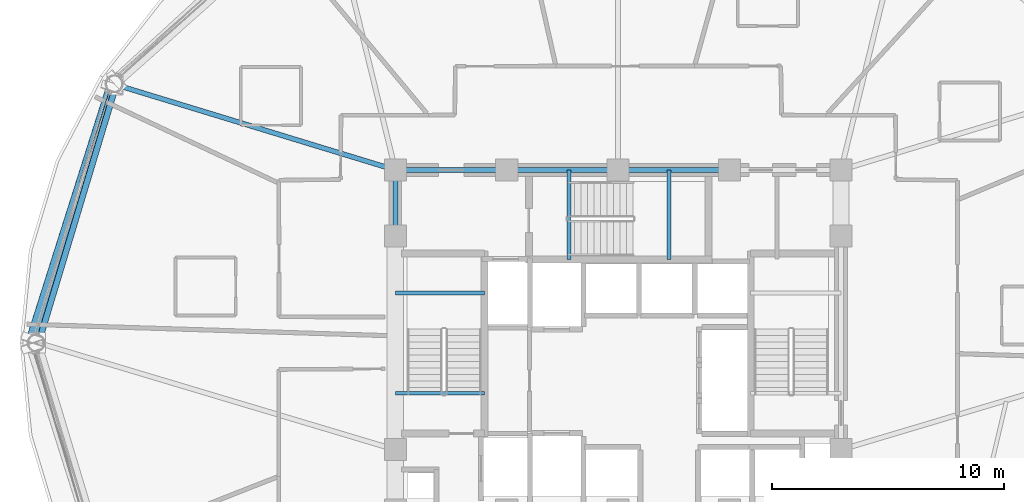
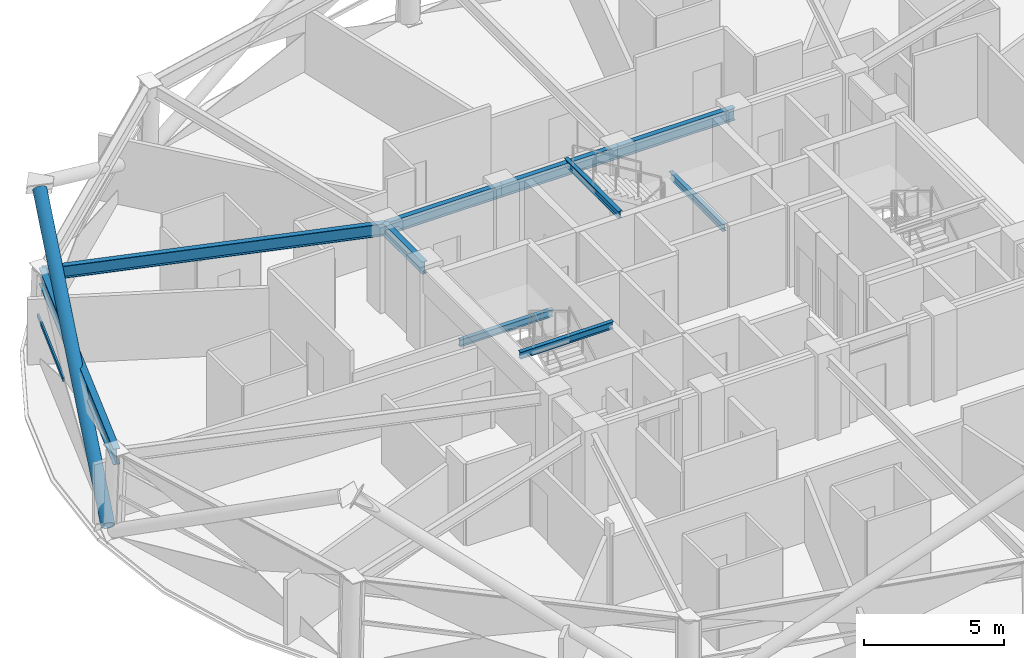
# One storey, part 3 of 15: 10 beams, 2 members, 1 element without a shape of its own.
"""IFC4 building model written with IfcOpenShell, lengths in metres."""

import ifcopenshell
import ifcopenshell.guid

model = None  # the IFC model being written
_history = None  # IfcOwnerHistory: only IFC2X3 demands one
_inside = {}  # id of a spatial element -> (the spatial element, [elements in it])
_under = {}  # id of a project, library or spatial element -> (it, [spatial elements below it])
_declared = {}  # id of a project -> (the project, [libraries it declares])
_typed = {}  # id of a type object -> (the type object, [elements of that type])
_made_of = {}  # id of a material, layer set ... -> (it, [elements and type objects made of it])


def new_model(schema):
    """Start an empty IFC model of exactly this schema.

    Asked for "IFC4X3", IfcOpenShell would pick the latest addendum, in which some entities
    have other attributes; the version numbers below select the first issue.
    IFC2X3 requires an IfcOwnerHistory on every rooted entity: one is made here for all.
    """
    global model, _history
    if schema == "IFC4X3":
        model = ifcopenshell.file(schema_version=(4, 3, 0, 0))
    else:
        model = ifcopenshell.file(schema=schema)
    _inside.clear()
    _under.clear()
    _declared.clear()
    _typed.clear()
    _made_of.clear()
    _history = None
    if model.schema == "IFC2X3":
        org = make("IfcOrganization", Name="unknown")
        user = make(
            "IfcPersonAndOrganization",
            ThePerson=make("IfcPerson", FamilyName="unknown"),
            TheOrganization=org,
        )
        app = make(
            "IfcApplication",
            ApplicationDeveloper=org,
            Version="unknown",
            ApplicationFullName="unknown",
            ApplicationIdentifier="unknown",
        )
        _history = make(
            "IfcOwnerHistory",
            OwningUser=user,
            OwningApplication=app,
            ChangeAction="ADDED",
            CreationDate=0,
        )
    return model


def make(cls, **values):
    """One entity of the class cls with the attributes given. An attribute that is None is left unset."""
    return model.create_entity(
        cls, **{name: value for name, value in values.items() if value is not None}
    )


def rooted(cls, **values):
    """An entity with a GlobalId (a new one), such as an element, a storey or a relation."""
    return make(cls, GlobalId=ifcopenshell.guid.new(), OwnerHistory=_history, **values)


def si_unit(unit_type, name, prefix=None):
    """IfcSIUnit, for example si_unit("LENGTHUNIT", "METRE", prefix="MILLI")."""
    return make("IfcSIUnit", UnitType=unit_type, Prefix=prefix, Name=name)


def assignment(units):
    """IfcUnitAssignment: the units of a project."""
    return None if units is None else make("IfcUnitAssignment", Units=units)


def point(xyz):
    """IfcCartesianPoint."""
    return None if xyz is None else make("IfcCartesianPoint", Coordinates=xyz)


def direction(xyz):
    """IfcDirection."""
    return None if xyz is None else make("IfcDirection", DirectionRatios=xyz)


def frame(location, z_axis=None, x_axis=None):
    """IfcAxis2Placement3D, a coordinate frame: its origin and axes. An axis left out is left unset."""
    return make(
        "IfcAxis2Placement3D",
        Location=point(location),
        Axis=direction(z_axis),
        RefDirection=direction(x_axis),
    )


def frame_2d(location, x_axis=None):
    """IfcAxis2Placement2D, a coordinate frame in the plane: its origin and x axis."""
    return make(
        "IfcAxis2Placement2D", Location=point(location), RefDirection=direction(x_axis)
    )


def origin():
    """The frame at (0, 0, 0) with its axes left unset."""
    return frame((0.0, 0.0, 0.0))


def origin_2d():
    """The frame at (0, 0) in the plane with its x axis left unset."""
    return frame_2d((0.0, 0.0))


def place(relative_to, where):
    """IfcLocalPlacement: puts the frame where relative to a parent placement (None: the world)."""
    return make(
        "IfcLocalPlacement", PlacementRelTo=relative_to, RelativePlacement=where
    )


def context(
    kind, dimensions, precision=None, world=None, true_north=None, identifier=None
):
    """IfcGeometricRepresentationContext, for example the 3D "Model" context."""
    return make(
        "IfcGeometricRepresentationContext",
        ContextIdentifier=identifier,
        ContextType=kind,
        CoordinateSpaceDimension=dimensions,
        Precision=precision,
        WorldCoordinateSystem=world,
        TrueNorth=true_north,
    )


def subcontext(parent, identifier, kind, view, scale=None):
    """IfcGeometricRepresentationSubContext, for example "Body" below "Model"."""
    return make(
        "IfcGeometricRepresentationSubContext",
        ContextIdentifier=identifier,
        ContextType=kind,
        ParentContext=parent,
        TargetScale=scale,
        TargetView=view,
    )


def project(units=None, contexts=None):
    """IfcProject with its units and contexts."""
    return rooted(
        "IfcProject",
        Name="project",
        RepresentationContexts=contexts,
        UnitsInContext=assignment(units),
    )


def spatial(cls, under=None, at=None, **own):
    """A site, building, storey or space (cls), placed at a placement, below another one or the project."""
    s = rooted(cls, ObjectPlacement=at, **own)
    if under is not None:
        _under.setdefault(under.id(), (under, []))[1].append(s)
    return s


def profile(cls, at=None, kind="AREA", **sizes):
    """A parametric profile (cls). Its sizes go by their IFC names, for example OverallWidth=200.0."""
    return make(cls, ProfileType=kind, Position=at, **sizes)


def hollow_rectangle(**sizes):
    """IfcRectangleHollowProfileDef."""
    return profile("IfcRectangleHollowProfileDef", **sizes)


def hollow_circle(**sizes):
    """IfcCircleHollowProfileDef."""
    return profile("IfcCircleHollowProfileDef", **sizes)


def i_section(**sizes):
    """IfcIShapeProfileDef."""
    return profile("IfcIShapeProfileDef", **sizes)


def extrude(swept, where, along, depth):
    """IfcExtrudedAreaSolid: the profile swept, set in the frame where, extruded along a direction by depth."""
    return make(
        "IfcExtrudedAreaSolid",
        SweptArea=swept,
        Position=where,
        ExtrudedDirection=direction(along),
        Depth=depth,
    )


def shape(context_of_items, identifier, shape_type, items):
    """IfcShapeRepresentation: the items that make up one representation, for example the "Body"."""
    return make(
        "IfcShapeRepresentation",
        ContextOfItems=context_of_items,
        RepresentationIdentifier=identifier,
        RepresentationType=shape_type,
        Items=items,
    )


def material(Name=None, Category=None):
    """IfcMaterial."""
    return make("IfcMaterial", Name=Name, Category=Category)


def layer(
    of_material, thickness, ventilated=None, Name=None, Category=None, Priority=None
):
    """IfcMaterialLayer: one layer of a wall or slab, of a material (None: an air gap)."""
    return make(
        "IfcMaterialLayer",
        Material=of_material,
        LayerThickness=thickness,
        IsVentilated=ventilated,
        Name=Name,
        Category=Category,
        Priority=Priority,
    )


def layer_set(layers, Name=None):
    """IfcMaterialLayerSet."""
    return make("IfcMaterialLayerSet", MaterialLayers=layers, LayerSetName=Name)


def material_profile(
    of_material, cross_section, Name=None, Category=None, Priority=None
):
    """IfcMaterialProfile: a cross section and its material."""
    return make(
        "IfcMaterialProfile",
        Name=Name,
        Material=of_material,
        Profile=cross_section,
        Priority=Priority,
        Category=Category,
    )


def profile_set(profiles, Name=None, composite=None):
    """IfcMaterialProfileSet."""
    return make(
        "IfcMaterialProfileSet",
        Name=Name,
        MaterialProfiles=profiles,
        CompositeProfile=composite,
    )


def made_of(thing, what):
    """Note that an element or type object is made of a material, layer set ...; save() writes the relation."""
    if what is not None:
        _made_of.setdefault(what.id(), (what, []))[1].append(thing)
    return thing


def type_object(cls, material=None, **own):
    """A type object (cls), such as IfcWallType, which elements share."""
    return made_of(rooted(cls, **own), material)


def element(
    cls,
    number,
    at=None,
    inside=None,
    cuts=None,
    type_object=None,
    material=None,
    context=None,
    identifier="Body",
    shape_type=None,
    held_by="IfcProductDefinitionShape",
    body=None,
    shapes=None,
    **own,
):
    """One element of the class cls, such as IfcWall. Its Tag is "e" and its number.

    at: its placement. inside: the storey or other place that contains it. cuts: it is an
    opening in that element (IfcRelVoidsElement). A single representation is given by context,
    identifier, shape_type and body (its items); several are given by shapes. held_by: the class
    of the entity that holds the representations. save() writes the other relations.
    """
    e = rooted(cls, Tag="e%d" % number, ObjectPlacement=at, **own)
    if body is not None:
        shapes = [shape(context, identifier, shape_type, body)]
    if shapes is not None:
        e.Representation = make(held_by, Representations=shapes)
    if inside is not None:
        _inside.setdefault(inside.id(), (inside, []))[1].append(e)
    if cuts is not None:
        rooted(
            "IfcRelVoidsElement", RelatingBuildingElement=cuts, RelatedOpeningElement=e
        )
    if type_object is not None:
        _typed.setdefault(type_object.id(), (type_object, []))[1].append(e)
    return made_of(e, material)


def aggregate(whole, parts):
    """IfcRelAggregates: a whole, such as a stair, and the parts it consists of."""
    return rooted("IfcRelAggregates", RelatingObject=whole, RelatedObjects=parts)


def save(model, path):
    """Write the relations noted so far, then the file.

    IfcRelAggregates (storeys below a building ...), IfcRelContainedInSpatialStructure (elements
    in a storey), IfcRelDefinesByType, IfcRelAssociatesMaterial and IfcRelDeclares: one each for
    every whole, place, type object, material and project.
    """
    for whole, parts in _under.values():
        aggregate(whole, parts)
    for where, things in _inside.values():
        rooted(
            "IfcRelContainedInSpatialStructure",
            RelatedElements=things,
            RelatingStructure=where,
        )
    for kind, things in _typed.values():
        rooted("IfcRelDefinesByType", RelatedObjects=things, RelatingType=kind)
    for what, things in _made_of.values():
        rooted("IfcRelAssociatesMaterial", RelatedObjects=things, RelatingMaterial=what)
    for by, libraries in _declared.values():
        rooted("IfcRelDeclares", RelatingContext=by, RelatedDefinitions=libraries)
    model.write(path)


model = new_model("IFC4")

# Units and contexts
model_context = context("Model", 3, precision=1e-05, world=origin(), true_north=direction((0.0, 1.0)))
body_context = subcontext(model_context, "Body", "Model", "MODEL_VIEW")
ifc_project = project(units=[si_unit("LENGTHUNIT", "METRE"), si_unit("AREAUNIT", "SQUARE_METRE"), si_unit("VOLUMEUNIT", "CUBIC_METRE"), si_unit("PLANEANGLEUNIT", "RADIAN"), si_unit("MASSUNIT", "GRAM", prefix="KILO")], contexts=[model_context])

# Site, building, storey
site_placement = place(None, origin())
site = spatial("IfcSite", under=ifc_project, at=site_placement, CompositionType="ELEMENT")
building_placement = place(site_placement, origin())
building = spatial("IfcBuilding", under=site, at=building_placement, Name="Vantalir Tower", CompositionType="ELEMENT")
storey_placement = place(building_placement, frame((0.0, 0.0, 134.699951171875)))
storey = spatial("IfcBuildingStorey", under=building, at=storey_placement, Name="L33", CompositionType="ELEMENT", Elevation=134.699951171875)

# Beams
ifc_material_1 = material(Name="Steel S355", Category="steel")
ifc_material_profile_1 = material_profile(ifc_material_1, i_section(OverallWidth=0.166015625, OverallDepth=0.306884765625, WebThickness=0.006591796875, FlangeThickness=0.01171875, at=origin_2d()), Name="Steel S355")
ifc_profile_set_1 = profile_set([ifc_material_profile_1], Name="Steel S355")
beam_type_1 = type_object("IfcBeamType", Name="BM-JS-305x165", PredefinedType="JOIST", material=ifc_profile_set_1)
for number, where, z_axis, x_axis, name in (
    (1, (21.89990234375, 22.8349609375, 3.595947265625), (1.0, 0.0, 0.0), (0.0, 1.0, 0.0), "L34 Stair ST1 Well Nosing Trimmer Beam"),
    (2, (21.89990234375, 27.14501953125, 1.52197265625), (1.0, 0.0, 0.0), (0.0, 1.0, 0.0), "L33 Stair ST1 Half-Landing Support Beam"),
):
    element("IfcBeam", number, at=place(storey_placement, frame(where, z_axis=z_axis, x_axis=x_axis)), inside=storey, type_object=beam_type_1, Name=name, PredefinedType="JOIST", context=body_context, shape_type="SweptSolid", body=[
        extrude(i_section(OverallWidth=0.166015625, OverallDepth=0.306884765625, WebThickness=0.006591796875, FlangeThickness=0.01171875, at=origin_2d()), origin(), (0.0, 0.0, 1.0), 3.840087890625),
    ])
for number, where, z_axis, x_axis, name in (
    (3, (29.385009765625, 28.60009765625, 3.595947265625), (0.0, 1.0, 0.0), (-1.0, 0.0, 0.0), "L34 Stair ST3 Well Nosing Trimmer Beam"),
    (4, (33.695068359375, 28.60009765625, 1.52197265625), (0.0, 1.0, 0.0), (-1.0, 0.0, 0.0), "L33 Stair ST3 Half-Landing Support Beam"),
):
    element("IfcBeam", number, at=place(storey_placement, frame(where, z_axis=z_axis, x_axis=x_axis)), inside=storey, type_object=beam_type_1, Name=name, PredefinedType="JOIST", context=body_context, shape_type="SweptSolid", body=[
        extrude(i_section(OverallWidth=0.166015625, OverallDepth=0.306884765625, WebThickness=0.006591796875, FlangeThickness=0.01171875, at=origin_2d()), origin(), (0.0, 0.0, 1.0), 3.849853515625),
    ])
ifc_material_profile_2 = material_profile(ifc_material_1, i_section(OverallWidth=0.2109375, OverallDepth=0.5390625, WebThickness=0.01171875, FlangeThickness=0.018798828125, at=origin_2d()), Name="Steel S355")
ifc_profile_set_2 = profile_set([ifc_material_profile_2], Name="Steel S355")
beam_type_2 = type_object("IfcBeamType", Name="BM-RB-533x210", PredefinedType="BEAM", material=ifc_profile_set_2)
for number, where, z_axis, x_axis, name in (
    (5, (36.300048828125, 32.449951171875, 3.301025390625), (-1.0, 0.0, 0.0), (0.0, -1.0, 0.0), "L33 Core Coupling Girder 09"),
    (6, (31.5, 32.449951171875, 3.301025390625), (-1.0, 0.0, 0.0), (0.0, -1.0, 0.0), "L33 Core Coupling Girder 10"),
    (7, (26.699951171875, 32.449951171875, 3.301025390625), (-1.0, 0.0, 0.0), (0.0, -1.0, 0.0), "L33 Core Coupling Girder 11"),
):
    element("IfcBeam", number, at=place(storey_placement, frame(where, z_axis=z_axis, x_axis=x_axis)), inside=storey, type_object=beam_type_2, Name=name, PredefinedType="BEAM", context=body_context, shape_type="SweptSolid", body=[
        extrude(i_section(OverallWidth=0.2109375, OverallDepth=0.5390625, WebThickness=0.01171875, FlangeThickness=0.018798828125, at=origin_2d()), origin(), (0.0, 0.0, 1.0), 4.800048828125),
    ])
beam_1_placement = place(storey_placement, frame((21.89990234375, 32.449951171875, 3.301025390625), z_axis=(0.0, -1.0, 0.0), x_axis=(1.0, 0.0, 0.0)))
element("IfcBeam", 8, at=beam_1_placement, inside=storey, type_object=beam_type_2, Name="L33 Core Coupling Girder 12", PredefinedType="BEAM", context=body_context, shape_type="SweptSolid", body=[
    extrude(i_section(OverallWidth=0.2109375, OverallDepth=0.5390625, WebThickness=0.01171875, FlangeThickness=0.018798828125, at=origin_2d()), origin(), (0.0, 0.0, 1.0), 2.849853515625),
])
beam_2_placement = place(storey_placement, frame((9.8759765625, 36.116943359375, 3.301025390625), z_axis=(0.956506725428, -0.291710274435, 0.0), x_axis=(0.291710274435, 0.956506725428, 0.0)))
element("IfcBeam", 9, at=beam_2_placement, inside=storey, type_object=beam_type_2, Name="L33 Radial Floor Beam 06", PredefinedType="BEAM", context=body_context, shape_type="SweptSolid", body=[
    extrude(i_section(OverallWidth=0.2109375, OverallDepth=0.5390625, WebThickness=0.01171875, FlangeThickness=0.018798828125, at=origin_2d()), origin(), (0.0, 0.0, 1.0), 12.570556640625),
])
ifc_material_2 = material(Name="Steel S460", Category="steel")
ifc_material_profile_3 = material_profile(ifc_material_2, i_section(OverallWidth=0.256103515625, OverallDepth=0.693115234375, WebThickness=0.014404296875, FlangeThickness=0.023681640625, at=origin_2d()), Name="Steel S460")
ifc_profile_set_3 = profile_set([ifc_material_profile_3], Name="Steel S460")
beam_type_3 = type_object("IfcBeamType", Name="BM-RG-686x254", PredefinedType="USERDEFINED", material=ifc_profile_set_3)
beam_3_placement = place(storey_placement, frame((9.8759765625, 36.116943359375, 3.22412109375), z_axis=(-0.288129172108, -0.957591551853, 0.0), x_axis=(0.957591551853, -0.288129172108, 0.0)))
element("IfcBeam", 10, at=beam_3_placement, inside=storey, type_object=beam_type_3, Name="L33 Circumferential Ring Girder 06", ObjectType="GIRDER", PredefinedType="USERDEFINED", context=body_context, shape_type="SweptSolid", body=[
    extrude(i_section(OverallWidth=0.256103515625, OverallDepth=0.693115234375, WebThickness=0.014404296875, FlangeThickness=0.023681640625, at=origin_2d()), origin(), (0.0, 0.0, 1.0), 11.609375),
])

# Curtain wall, member
ifc_material_3 = material(Name="Champagne-silver PVDF aluminium and double-silver Low-E glass", Category="aluminium")
ifc_layer = layer(ifc_material_3, 0.199951171875)
ifc_layer_set = layer_set([ifc_layer], Name="Champagne-silver PVDF aluminium and double-silver Low-E glass")
curtain_wall_type = type_object("IfcCurtainWallType", Name="CW-DIAMOND-Z2", PredefinedType="USERDEFINED", material=ifc_layer_set)
curtain_wall_placement = place(storey_placement, origin())
curtain_wall = element("IfcCurtainWall", 11, at=curtain_wall_placement, inside=storey, type_object=curtain_wall_type, Name="L33 Quilted Pyramid-Diamond Curtain Wall S06", ObjectType="UNITISED CURTAIN WALL", PredefinedType="USERDEFINED")
ifc_material_4 = material(Name="Champagne-silver PVDF aluminium 6063-T6", Category="aluminium")
ifc_material_profile_4 = material_profile(ifc_material_4, hollow_rectangle(XDim=0.074951171875, YDim=0.159912109375, WallThickness=0.00390625, at=origin_2d()), Name="Champagne-silver PVDF aluminium 6063-T6")
ifc_profile_set_4 = profile_set([ifc_material_profile_4], Name="Champagne-silver PVDF aluminium 6063-T6")
member_type_1 = type_object("IfcMemberType", Name="CWT-160x75", PredefinedType="USERDEFINED", material=ifc_profile_set_4)
member_1_placement = place(storey_placement, frame((9.531005859375, 35.818115234375, 1.78515625), z_axis=(-0.293287319911, -0.956024344868, 0.0), x_axis=(0.956024344868, -0.293287319911, 0.0)))
member_1 = element("IfcMember", 12, at=member_1_placement, type_object=member_type_1, Name="CW-L33-S06 Pyramid Fold Ridge Transom", ObjectType="TRANSOM", PredefinedType="USERDEFINED", context=body_context, shape_type="SweptSolid", body=[
    extrude(hollow_rectangle(XDim=0.074951171875, YDim=0.159912109375, WallThickness=0.00390625, at=origin_2d()), origin(), (0.0, 0.0, 1.0), 4.12548828125),
])
aggregate(curtain_wall, [member_1])

# Member
ifc_material_profile_5 = material_profile(ifc_material_2, hollow_circle(Radius=0.260009765625, WallThickness=0.0380859375, at=origin_2d()), Name="Steel S460")
ifc_profile_set_5 = profile_set([ifc_material_profile_5], Name="Steel S460")
member_type_2 = type_object("IfcMemberType", Name="MEM-DB-520x38", PredefinedType="BRACE", material=ifc_profile_set_5)
member_2_placement = place(storey_placement, frame((6.27392578125, 25.178955078125, 0.195068359375), z_axis=(0.258089323855, 0.813717143064, 0.520820806031), x_axis=(-0.953203145042, 0.302330554662, 0.0)))
element("IfcMember", 13, at=member_2_placement, inside=storey, type_object=member_type_2, Name="L33 Perimeter S460 Diagrid Brace R19R", PredefinedType="BRACE", context=body_context, shape_type="SweptSolid", body=[
    extrude(hollow_circle(Radius=0.260009765625, WallThickness=0.0380859375, at=origin_2d()), origin(), (0.0, 0.0, 1.0), 13.305908203125),
])

save(model, "model.ifc")
